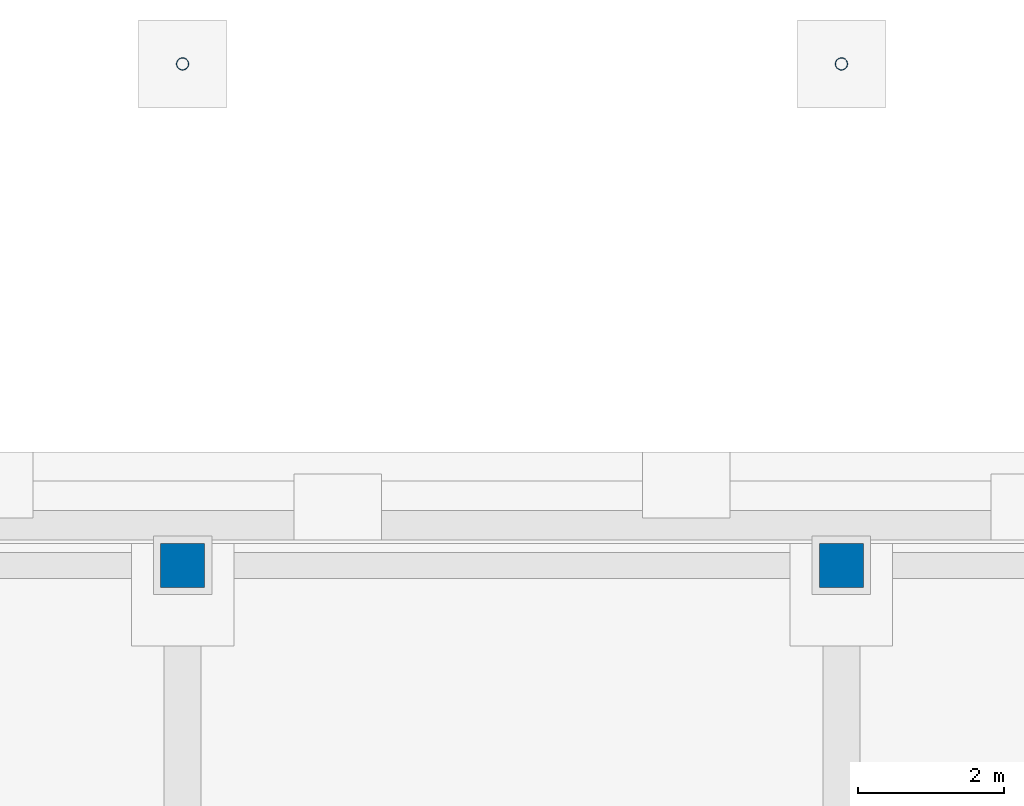
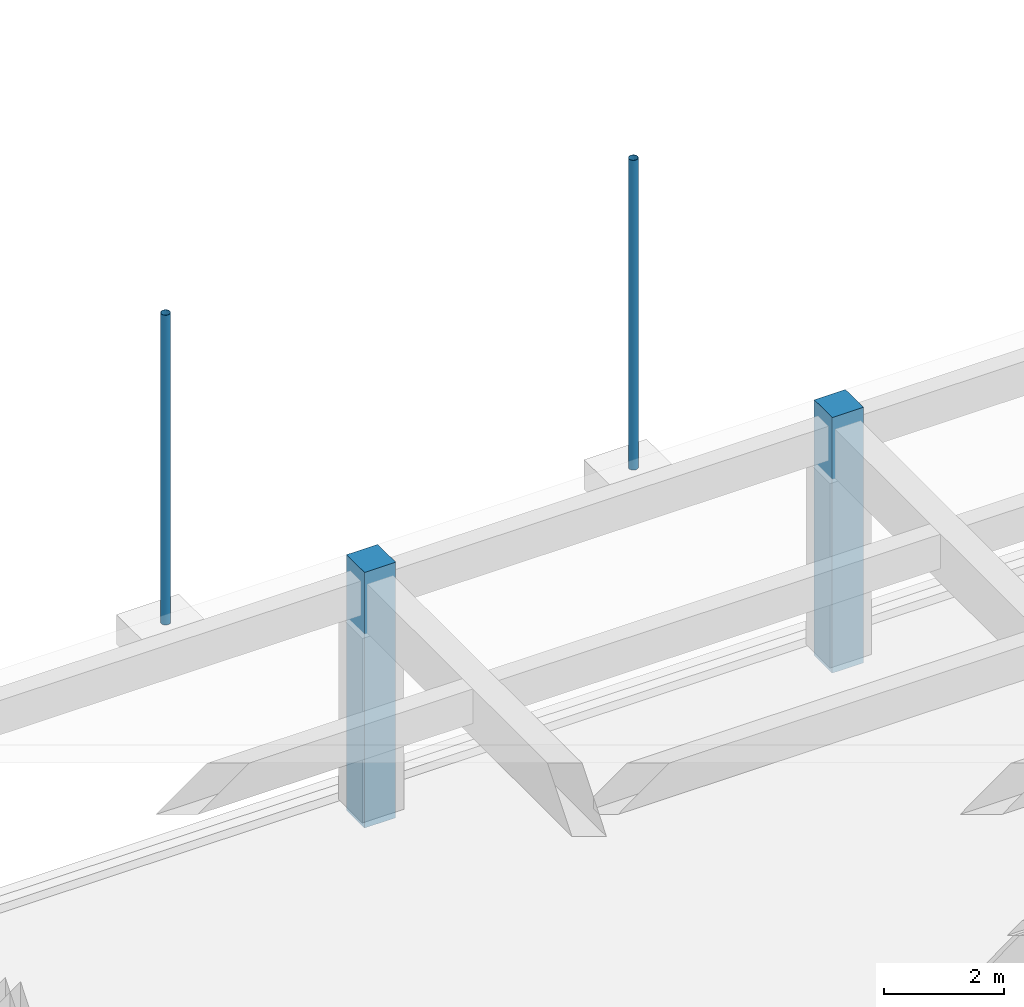
# One storey, part 9 of 77: 4 columns.
"""IFC4 building model written with IfcOpenShell, lengths in metres."""

from ifc_helpers import new_model, si_unit, direction, frame, origin, origin_2d, place, context, subcontext, project, spatial, rectangle, hollow_circle, extrude, material, material_profile, profile_set, type_object, element, save


model = new_model("IFC4")

# Units and contexts
model_context = context("Model", 3, precision=1e-05, world=origin(), true_north=direction((0.0, 1.0)))
body_context = subcontext(model_context, "Body", "Model", "MODEL_VIEW")
ifc_project = project(units=[si_unit("LENGTHUNIT", "METRE"), si_unit("AREAUNIT", "SQUARE_METRE"), si_unit("VOLUMEUNIT", "CUBIC_METRE"), si_unit("PLANEANGLEUNIT", "RADIAN"), si_unit("MASSUNIT", "GRAM", prefix="KILO")], contexts=[model_context])

# Site, building, storey
site_placement = place(None, origin())
site = spatial("IfcSite", under=ifc_project, at=site_placement, CompositionType="ELEMENT")
building_placement = place(site_placement, origin())
building = spatial("IfcBuilding", under=site, at=building_placement, Name="Aravalli Gate Trade Fair Centre", CompositionType="ELEMENT")
storey_placement = place(building_placement, origin())
storey = spatial("IfcBuildingStorey", under=building, at=storey_placement, Name="L00", CompositionType="ELEMENT", Elevation=0.0)

# Columns
ifc_material_1 = material(Name="Concrete M45", Category="concrete")
ifc_material_profile_1 = material_profile(ifc_material_1, rectangle(XDim=0.60009765625, YDim=0.60009765625, at=origin_2d()), Name="Arcade pier 600 x 600")
ifc_profile_set_1 = profile_set([ifc_material_profile_1], Name="Concrete M45")
column_type_1 = type_object("IfcColumnType", Name="Arcade pier 600 x 600", PredefinedType="COLUMN", material=ifc_profile_set_1)
for number, where, z_axis, x_axis, name in (
    (1, (78.0, 144.64990234375, -0.199951171875), (0.0, 0.0, 1.0), (1.0, 0.0, 0.0), "Arcade pier N09 L00"),
    (2, (87.0, 144.64990234375, -0.199951171875), (0.0, 0.0, 1.0), (1.0, 0.0, 0.0), "Arcade pier N10 L00"),
):
    element("IfcColumn", number, at=place(storey_placement, frame(where, z_axis=z_axis, x_axis=x_axis)), inside=storey, type_object=column_type_1, Name=name, PredefinedType="COLUMN", context=body_context, shape_type="SweptSolid", body=[
        extrude(rectangle(XDim=0.60009765625, YDim=0.60009765625, at=origin_2d()), origin(), (0.0, 0.0, 1.0), 5.199951171875),
    ])
ifc_material_2 = material(Name="Steel E350", Category="steel")
ifc_material_profile_2 = material_profile(ifc_material_2, hollow_circle(Radius=0.084228515625, WallThickness=0.0048828125, at=origin_2d()), Name="CHS 168.3x5")
ifc_profile_set_2 = profile_set([ifc_material_profile_2], Name="Steel E350")
column_type_2 = type_object("IfcColumnType", Name="CHS 168.3x5 canopy post", PredefinedType="COLUMN", material=ifc_profile_set_2)
for number, where, z_axis, x_axis, name in (
    (3, (78.0, 151.5, -0.449951171875), (0.0, 0.0, 1.0), (1.0, 0.0, 0.0), "Entrance canopy post 78"),
    (4, (87.0, 151.5, -0.449951171875), (0.0, 0.0, 1.0), (1.0, 0.0, 0.0), "Entrance canopy post 87"),
):
    element("IfcColumn", number, at=place(storey_placement, frame(where, z_axis=z_axis, x_axis=x_axis)), inside=storey, type_object=column_type_2, Name=name, PredefinedType="COLUMN", context=body_context, shape_type="SweptSolid", body=[
        extrude(hollow_circle(Radius=0.084228515625, WallThickness=0.0048828125, at=origin_2d()), origin(), (0.0, 0.0, 1.0), 6.300048828125),
    ])

save(model, "model.ifc")
